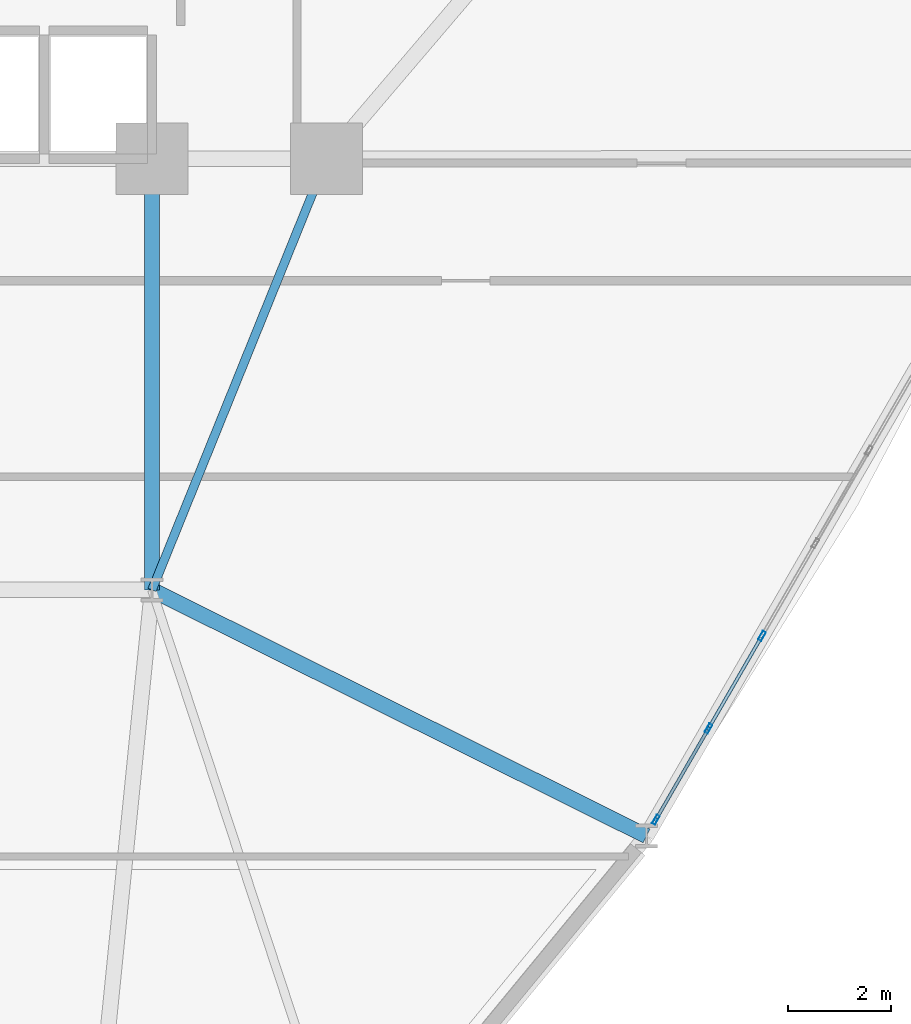
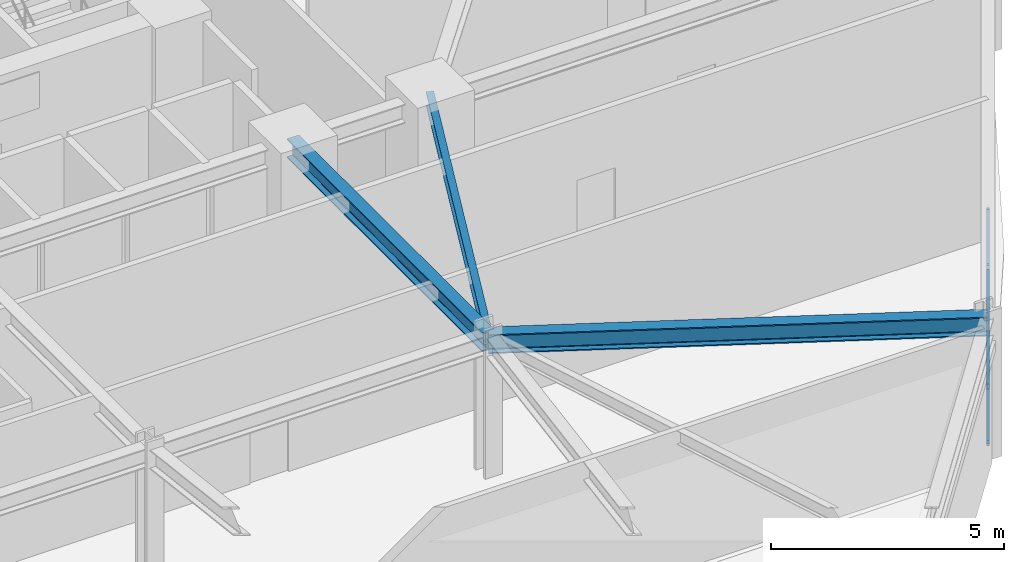
# One storey, part 6 of 21: 8 members, 3 beams, 1 element without a shape of its own.
"""IFC4 building model written with IfcOpenShell, lengths in metres."""

from ifc_helpers import new_model, si_unit, derived_unit, direction, frame, origin, origin_2d, place, context, subcontext, project, spatial, hollow_rectangle, i_section, extrude, source, transform, mapped, material, layer, layer_set, material_profile, profile_set, type_object, element, aggregate, save


model = new_model("IFC4")

# Units and contexts
model_context = context("Model", 3, precision=1e-05, world=origin(), true_north=direction((0.0, 1.0)))
body_context = subcontext(model_context, "Body", "Model", "MODEL_VIEW")
ifc_project = project(units=[si_unit("LENGTHUNIT", "METRE"), si_unit("AREAUNIT", "SQUARE_METRE"), si_unit("VOLUMEUNIT", "CUBIC_METRE"), si_unit("PLANEANGLEUNIT", "RADIAN"), si_unit("MASSUNIT", "GRAM", prefix="KILO"), derived_unit("THERMALTRANSMITTANCEUNIT", [(si_unit("POWERUNIT", "WATT"), 1), (si_unit("LENGTHUNIT", "METRE"), -2), (si_unit("THERMODYNAMICTEMPERATUREUNIT", "KELVIN"), -1)])], contexts=[model_context])

# Site, building, storey
site_placement = place(None, origin())
site = spatial("IfcSite", under=ifc_project, at=site_placement, CompositionType="ELEMENT")
building_placement = place(site_placement, origin())
building = spatial("IfcBuilding", under=site, at=building_placement, Name="Korsvarv Bourse and Concert Hall", CompositionType="ELEMENT")
storey_placement = place(building_placement, frame((0.0, 0.0, 63.89990234375)))
storey = spatial("IfcBuildingStorey", under=building, at=storey_placement, Name="L15", CompositionType="ELEMENT", Elevation=63.89990234375)

# Beams
ifc_material_1 = material(Name="Steel S355", Category="steel")
ifc_material_profile_1 = material_profile(ifc_material_1, i_section(OverallWidth=0.300048828125, OverallDepth=0.5, WebThickness=0.014404296875, FlangeThickness=0.028076171875, FilletRadius=0.02392578125, at=origin_2d()), Name="HEB 500")
ifc_profile_set_1 = profile_set([ifc_material_profile_1], Name="Steel S355")
beam_type_1 = type_object("IfcBeamType", Name="BM-HEB500", PredefinedType="BEAM", material=ifc_profile_set_1)
shared_shape_1 = source(origin(), body_context, "Body", "SweptSolid", [
    extrude(i_section(OverallWidth=0.300048828125, OverallDepth=0.5, WebThickness=0.014404296875, FlangeThickness=0.028076171875, FilletRadius=0.02392578125, at=origin_2d()), origin(), (0.0, 0.0, 1.0), 8.39990234375),
])
beam_1_placement = place(storey_placement, frame((44.39990234375, 24.0, 3.43017578125), z_axis=(0.0, 1.0, 0.0), x_axis=(-1.0, 0.0, 0.0)))
element("IfcBeam", 1, at=beam_1_placement, inside=storey, type_object=beam_type_1, Name="L15 beam B-07", PredefinedType="BEAM", context=body_context, shape_type="MappedRepresentation", body=[
    mapped(shared_shape_1, transform((0.0, 0.0, 0.0), scale=1.0)),
])
shared_shape_2 = source(origin(), body_context, "Body", "SweptSolid", [
    extrude(i_section(OverallWidth=0.300048828125, OverallDepth=0.5, WebThickness=0.014404296875, FlangeThickness=0.028076171875, FilletRadius=0.02392578125, at=origin_2d()), origin(), (0.0, 0.0, 1.0), 10.760009765625),
])
beam_2_placement = place(storey_placement, frame((54.033447265625, 19.206787109375, 3.43017578125), z_axis=(-0.89530128692, 0.445461115743, 0.0), x_axis=(-0.445461115743, -0.89530128692, 0.0)))
element("IfcBeam", 2, at=beam_2_placement, inside=storey, type_object=beam_type_1, Name="L15 beam B-07", PredefinedType="BEAM", context=body_context, shape_type="MappedRepresentation", body=[
    mapped(shared_shape_2, transform((0.0, 0.0, 0.0), scale=1.0)),
])
ifc_material_profile_2 = material_profile(ifc_material_1, i_section(OverallWidth=0.169921875, OverallDepth=0.360107421875, WebThickness=0.008056640625, FlangeThickness=0.0126953125, FilletRadius=0.01806640625, at=origin_2d()), Name="IPE 360")
ifc_profile_set_2 = profile_set([ifc_material_profile_2], Name="Steel S355")
beam_type_2 = type_object("IfcBeamType", Name="BM-IPE360", PredefinedType="JOIST", material=ifc_profile_set_2)
shared_shape_3 = source(origin(), body_context, "Body", "SweptSolid", [
    extrude(i_section(OverallWidth=0.169921875, OverallDepth=0.360107421875, WebThickness=0.008056640625, FlangeThickness=0.0126953125, FilletRadius=0.01806640625, at=origin_2d()), origin(), (0.0, 0.0, 1.0), 9.06201171875),
])
beam_3_placement = place(storey_placement, frame((47.800048828125, 32.39990234375, 3.5), z_axis=(-0.375210394783, -0.926939674222, 0.0), x_axis=(0.926939674222, -0.375210394783, 0.0)))
element("IfcBeam", 3, at=beam_3_placement, inside=storey, type_object=beam_type_2, Name="L15 beam J-06", PredefinedType="JOIST", context=body_context, shape_type="MappedRepresentation", body=[
    mapped(shared_shape_3, transform((0.0, 0.0, 0.0), scale=1.0)),
])

# Curtain wall, members
ifc_material_2 = material(Name="Anodised aluminium and triple low-E glazing", Category="glass")
ifc_layer = layer(ifc_material_2, 0.219970703125)
ifc_layer_set = layer_set([ifc_layer], Name="Anodised aluminium and triple low-E glazing")
curtain_wall_type = type_object("IfcCurtainWallType", Name="CW-SYS-1", PredefinedType="NOTDEFINED", material=ifc_layer_set)
curtain_wall_placement = place(storey_placement, origin())
curtain_wall = element("IfcCurtainWall", 4, at=curtain_wall_placement, inside=storey, type_object=curtain_wall_type, Name="L15 CW1 curtain wall CW-L15-F11", PredefinedType="NOTDEFINED")
ifc_material_3 = material(Name="Extruded aluminium EN AW-6063 T66", Category="aluminium")
ifc_material_profile_3 = material_profile(ifc_material_3, hollow_rectangle(XDim=0.070068359375, YDim=0.18994140625, WallThickness=0.0048828125, at=origin_2d()), Name="ALU-M 70x190")
ifc_profile_set_3 = profile_set([ifc_material_profile_3], Name="Extruded aluminium EN AW-6063 T66")
member_type_1 = type_object("IfcMemberType", Name="CWM-190", PredefinedType="MULLION", material=ifc_profile_set_3)
shared_shape_4 = source(origin(), body_context, "Body", "SweptSolid", [
    extrude(hollow_rectangle(XDim=0.070068359375, YDim=0.18994140625, WallThickness=0.0048828125, at=origin_2d()), origin(), (0.0, 0.0, 1.0), 3.22998046875),
])
member_1_placement = place(storey_placement, frame((54.216552734375, 19.52392578125, 0.0), z_axis=(0.0, 0.0, 1.0), x_axis=(-0.86602191759, 0.500006038217, 0.0)))
member_1 = element("IfcMember", 5, at=member_1_placement, type_object=member_type_1, Name="CW1 mullion 1", PredefinedType="MULLION", context=body_context, shape_type="MappedRepresentation", body=[
    mapped(shared_shape_4, transform((0.0, 0.0, 0.0), scale=1.0)),
])
member_2_placement = place(storey_placement, frame((55.2412109375, 21.298828125, 0.0), z_axis=(0.0, 0.0, 1.0), x_axis=(-0.86602191759, 0.500006038217, 0.0)))
member_2 = element("IfcMember", 6, at=member_2_placement, type_object=member_type_1, Name="CW1 mullion 2", PredefinedType="MULLION", context=body_context, shape_type="MappedRepresentation", body=[
    mapped(shared_shape_4, transform((0.0, 0.0, 0.0), scale=1.0)),
])
member_3_placement = place(storey_placement, frame((56.283447265625, 23.10400390625, 0.0), z_axis=(0.0, 0.0, 1.0), x_axis=(-0.86602191759, 0.500006038217, 0.0)))
member_3 = element("IfcMember", 7, at=member_3_placement, type_object=member_type_1, Name="CW1 mullion 3", PredefinedType="MULLION", context=body_context, shape_type="MappedRepresentation", body=[
    mapped(shared_shape_4, transform((0.0, 0.0, 0.0), scale=1.0)),
])
ifc_material_profile_4 = material_profile(ifc_material_3, hollow_rectangle(XDim=0.06494140625, YDim=0.139892578125, WallThickness=0.00390625, at=origin_2d()), Name="ALU-T 65x140")
ifc_profile_set_4 = profile_set([ifc_material_profile_4], Name="Extruded aluminium EN AW-6063 T66")
member_type_2 = type_object("IfcMemberType", Name="CWT-140", PredefinedType="USERDEFINED", material=ifc_profile_set_4)
shared_shape_5 = source(origin(), body_context, "Body", "SweptSolid", [
    extrude(hollow_rectangle(XDim=0.06494140625, YDim=0.139892578125, WallThickness=0.00390625, at=origin_2d()), origin(), (0.0, 0.0, 1.0), 1.979248046875),
])
member_4_placement = place(storey_placement, frame((54.234130859375, 19.554443359375, 0.03271484375), z_axis=(0.500039200885, 0.86600276996, 0.0), x_axis=(-0.86600276996, 0.500039200885, 0.0)))
member_4 = element("IfcMember", 8, at=member_4_placement, type_object=member_type_2, Name="CW1 transom 1.1", ObjectType="TRANSOM", PredefinedType="USERDEFINED", context=body_context, shape_type="MappedRepresentation", body=[
    mapped(shared_shape_5, transform((0.0, 0.0, 0.0), scale=1.0)),
])
member_5_placement = place(storey_placement, frame((54.234130859375, 19.554443359375, 3.197509765625), z_axis=(0.500039200885, 0.86600276996, 0.0), x_axis=(-0.86600276996, 0.500039200885, 0.0)))
member_5 = element("IfcMember", 9, at=member_5_placement, type_object=member_type_2, Name="CW1 transom 1.2", ObjectType="TRANSOM", PredefinedType="USERDEFINED", context=body_context, shape_type="MappedRepresentation", body=[
    mapped(shared_shape_5, transform((0.0, 0.0, 0.0), scale=1.0)),
])
ifc_material_profile_5 = material_profile(ifc_material_3, hollow_rectangle(XDim=0.06494140625, YDim=0.1650390625, WallThickness=0.0048828125, at=origin_2d()), Name="ALU-M 65x165")
ifc_profile_set_5 = profile_set([ifc_material_profile_5], Name="Extruded aluminium EN AW-6063 T66")
member_type_3 = type_object("IfcMemberType", Name="CWM-165", PredefinedType="MULLION", material=ifc_profile_set_5)
shared_shape_6 = source(origin(), body_context, "Body", "SweptSolid", [
    extrude(hollow_rectangle(XDim=0.06494140625, YDim=0.1650390625, WallThickness=0.0048828125, at=origin_2d()), origin(), (0.0, 0.0, 1.0), 3.677978515625),
])
member_6_placement = place(storey_placement, frame((54.234130859375, 19.554443359375, 0.065185546875), z_axis=(0.269107120812, 0.466058484268, 0.842835005662), x_axis=(-0.86600276996, 0.500039200885, 0.0)))
member_6 = element("IfcMember", 10, at=member_6_placement, type_object=member_type_3, Name="CW1 diagonal mullion 1", PredefinedType="MULLION", context=body_context, shape_type="MappedRepresentation", body=[
    mapped(shared_shape_6, transform((0.0, 0.0, 0.0), scale=1.0)),
])
shared_shape_7 = source(origin(), body_context, "Body", "SweptSolid", [
    extrude(hollow_rectangle(XDim=0.06494140625, YDim=0.139892578125, WallThickness=0.00390625, at=origin_2d()), origin(), (0.0, 0.0, 1.0), 2.0146484375),
])
member_7_placement = place(storey_placement, frame((55.2587890625, 21.3291015625, 0.03271484375), z_axis=(0.500023174947, 0.866012023309, 0.0), x_axis=(-0.866012023309, 0.500023174947, 0.0)))
member_7 = element("IfcMember", 11, at=member_7_placement, type_object=member_type_2, Name="CW1 transom 2.1", ObjectType="TRANSOM", PredefinedType="USERDEFINED", context=body_context, shape_type="MappedRepresentation", body=[
    mapped(shared_shape_7, transform((0.0, 0.0, 0.0), scale=1.0)),
])
member_8_placement = place(storey_placement, frame((55.2587890625, 21.3291015625, 3.197509765625), z_axis=(0.500023174947, 0.866012023309, 0.0), x_axis=(-0.866012023309, 0.500023174947, 0.0)))
member_8 = element("IfcMember", 12, at=member_8_placement, type_object=member_type_2, Name="CW1 transom 2.2", ObjectType="TRANSOM", PredefinedType="USERDEFINED", context=body_context, shape_type="MappedRepresentation", body=[
    mapped(shared_shape_7, transform((0.0, 0.0, 0.0), scale=1.0)),
])
aggregate(curtain_wall, [member_1, member_2, member_3, member_4, member_5, member_6, member_7, member_8])

save(model, "model.ifc")
